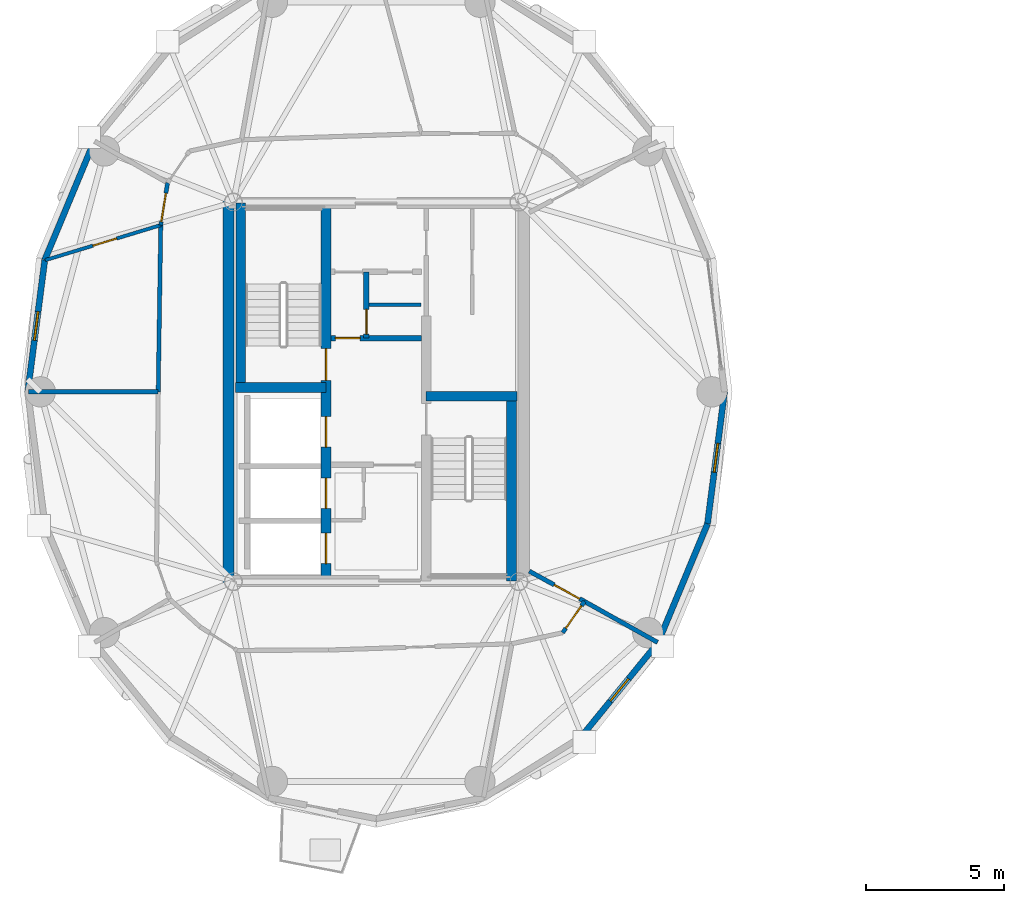
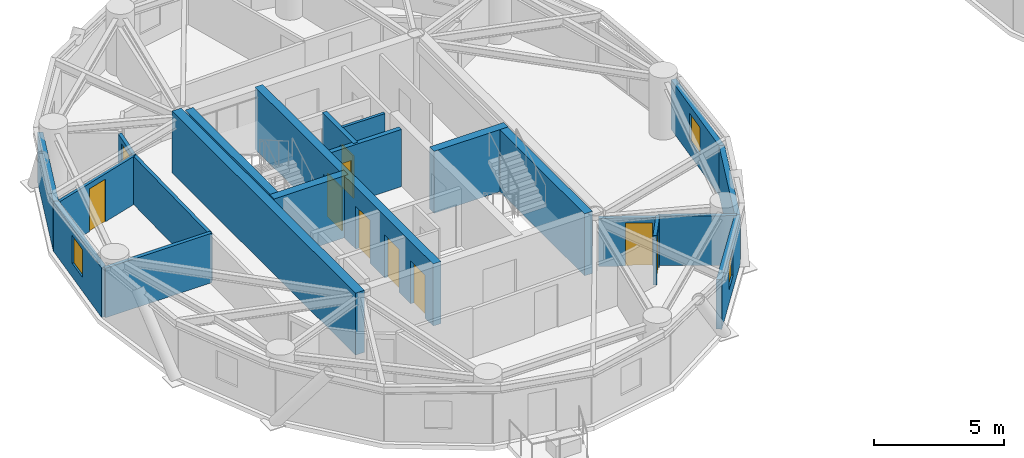
# One storey, part 8 of 16: 21 walls, 10 doors, 3 windows, 13 openings.
"""IFC4 building model written with IfcOpenShell, lengths in metres."""

from ifc_helpers import new_model, si_unit, direction, frame, frame_2d, origin, place, context, subcontext, project, spatial, rectangle, extrude, source, transform, mapped, material, layer, layer_set, type_object, element, fill, save


model = new_model("IFC4")

# Units and contexts
model_context = context("Model", 3, precision=1e-05, world=origin(), true_north=direction((0.0, 1.0)))
body_context = subcontext(model_context, "Body", "Model", "MODEL_VIEW")
ifc_project = project(units=[si_unit("LENGTHUNIT", "METRE"), si_unit("AREAUNIT", "SQUARE_METRE"), si_unit("VOLUMEUNIT", "CUBIC_METRE"), si_unit("PLANEANGLEUNIT", "RADIAN"), si_unit("MASSUNIT", "GRAM", prefix="KILO")], contexts=[model_context])

# Site, building, storey
site_placement = place(None, origin())
site = spatial("IfcSite", under=ifc_project, at=site_placement, CompositionType="ELEMENT")
building_placement = place(site_placement, origin())
building = spatial("IfcBuilding", under=site, at=building_placement, Name="Cununo Teusaquillo Station Towers", CompositionType="ELEMENT")
storey_placement = place(building_placement, frame((0.0, 0.0, 208.300048828125)))
storey = spatial("IfcBuildingStorey", under=building, at=storey_placement, Name="L66", CompositionType="ELEMENT", Elevation=208.300048828125)

# Wall, openings, doors
ifc_material_1 = material(Name="Concrete C50/60", Category="concrete")
ifc_layer_1 = layer(ifc_material_1, 0.35009765625)
ifc_layer_set_1 = layer_set([ifc_layer_1], Name="Concrete C50/60")
wall_type_1 = type_object("IfcWallType", Name="WL-CORE-350", PredefinedType="SHEAR", material=ifc_layer_set_1)
wall_1_placement = place(storey_placement, frame((14.68505859375, 17.64990234375, 0.0), z_axis=(0.0, 0.0, 1.0), x_axis=(0.0, 1.0, 0.0)))
wall_1 = element("IfcWall", 1, at=wall_1_placement, inside=storey, type_object=wall_type_1, Name="L66 Tower A Core Shear Wall IW", PredefinedType="SHEAR", context=body_context, shape_type="SweptSolid", body=[
    extrude(rectangle(XDim=13.7001953125, YDim=0.35009765625, at=frame_2d((6.85009765625, 0.0))), origin(), (0.0, 0.0, 1.0), 2.909912109375),
])
shared_shape_1 = source(origin(), body_context, "Body", "SweptSolid", [
    extrude(rectangle(XDim=1.10009765625, YDim=2.014892578125, at=frame_2d((0.550048828125, 1.00732421875))), frame((0.0, 0.18505859375, 0.0), z_axis=(0.0, -1.0, 0.0), x_axis=(1.0, 0.0, 0.0)), (0.0, 0.0, 1.0), 0.3701171875),
])
opening_1_placement = place(wall_1_placement, frame((4.85009765625, 0.0, 0.0)))
opening_1 = element("IfcOpeningElement", 2, at=opening_1_placement, cuts=wall_1, Name="Opening LD-01", PredefinedType="OPENING", context=body_context, shape_type="MappedRepresentation", body=[
    mapped(shared_shape_1, transform((0.0, 0.0, 0.0), x_axis=(1.0, 0.0, 0.0), y_axis=(0.0, 1.0, 0.0), z_axis=(0.0, 0.0, 1.0), scale=1.0)),
])
opening_2_placement = place(wall_1_placement, frame((0.625, 0.0, 0.0)))
opening_2 = element("IfcOpeningElement", 3, at=opening_2_placement, cuts=wall_1, Name="Opening LD-01", PredefinedType="OPENING", context=body_context, shape_type="MappedRepresentation", body=[
    mapped(shared_shape_1, transform((0.0, 0.0, 0.0), x_axis=(1.0, 0.0, 0.0), y_axis=(0.0, 1.0, 0.0), z_axis=(0.0, 0.0, 1.0), scale=1.0)),
])
opening_3_placement = place(wall_1_placement, frame((2.625, 0.0, 0.0)))
opening_3 = element("IfcOpeningElement", 4, at=opening_3_placement, cuts=wall_1, Name="Opening LD-01", PredefinedType="OPENING", context=body_context, shape_type="MappedRepresentation", body=[
    mapped(shared_shape_1, transform((0.0, 0.0, 0.0), x_axis=(1.0, 0.0, 0.0), y_axis=(0.0, 1.0, 0.0), z_axis=(0.0, 0.0, 1.0), scale=1.0)),
])
shared_shape_2 = source(origin(), body_context, "Body", "SweptSolid", [
    extrude(rectangle(XDim=1.14990234375, YDim=2.02001953125, at=frame_2d((0.574951171875, 1.010009765625))), frame((0.0, 0.18505859375, 0.0), z_axis=(0.0, -1.0, 0.0), x_axis=(1.0, 0.0, 0.0)), (0.0, 0.0, 1.0), 0.3701171875),
])
opening_4_placement = place(wall_1_placement, frame((7.27001953125, 0.0, 0.0)))
opening_4 = element("IfcOpeningElement", 5, at=opening_4_placement, cuts=wall_1, Name="Opening D-ST1", PredefinedType="OPENING", context=body_context, shape_type="MappedRepresentation", body=[
    mapped(shared_shape_2, transform((0.0, 0.0, 0.0), x_axis=(1.0, 0.0, 0.0), y_axis=(0.0, 1.0, 0.0), z_axis=(0.0, 0.0, 1.0), scale=1.0)),
])
ifc_material_2 = material(Name="Galvanised fire-rated hollow steel door assembly", Category="steel")
door_type_1 = type_object("IfcDoorType", Name="DR-LIFT-1100", OperationType="SLIDING_TO_LEFT", PredefinedType="DOOR", material=ifc_material_2)
shared_shape_3 = source(origin(), body_context, "Body", "SweptSolid", [
    extrude(rectangle(XDim=1.10009765625, YDim=2.014892578125, at=frame_2d((0.550048828125, 1.00732421875))), frame((0.0, 0.02490234375, 0.0), z_axis=(0.0, -1.0, 0.0), x_axis=(1.0, 0.0, 0.0)), (0.0, 0.0, 1.0), 0.050048828125),
])
door_1_placement = place(opening_1_placement, origin())
door_1 = element("IfcDoor", 6, at=door_1_placement, inside=storey, type_object=door_type_1, Name="L66 Lift FL-T1 Sliding Landing Door", OperationType="SLIDING_TO_LEFT", OverallHeight=2.014892578125, OverallWidth=1.10009765625, PredefinedType="DOOR", context=body_context, shape_type="MappedRepresentation", body=[
    mapped(shared_shape_3, transform((0.0, 0.0, 0.0), x_axis=(1.0, 0.0, 0.0), y_axis=(0.0, 1.0, 0.0), z_axis=(0.0, 0.0, 1.0), scale=1.0)),
])
fill(opening_1, door_1)
door_2_placement = place(opening_2_placement, origin())
door_2 = element("IfcDoor", 7, at=door_2_placement, inside=storey, type_object=door_type_1, Name="L66 Lift PL-T1-H1 Sliding Landing Door", OperationType="SLIDING_TO_LEFT", OverallHeight=2.014892578125, OverallWidth=1.10009765625, PredefinedType="DOOR", context=body_context, shape_type="MappedRepresentation", body=[
    mapped(shared_shape_3, transform((0.0, 0.0, 0.0), x_axis=(1.0, 0.0, 0.0), y_axis=(0.0, 1.0, 0.0), z_axis=(0.0, 0.0, 1.0), scale=1.0)),
])
fill(opening_2, door_2)
door_3_placement = place(opening_3_placement, origin())
door_3 = element("IfcDoor", 8, at=door_3_placement, inside=storey, type_object=door_type_1, Name="L66 Lift PL-T1-H2 Sliding Landing Door", OperationType="SLIDING_TO_RIGHT", OverallHeight=2.014892578125, OverallWidth=1.10009765625, PredefinedType="DOOR", context=body_context, shape_type="MappedRepresentation", body=[
    mapped(shared_shape_3, transform((0.0, 0.0, 0.0), x_axis=(1.0, 0.0, 0.0), y_axis=(0.0, 1.0, 0.0), z_axis=(0.0, 0.0, 1.0), scale=1.0)),
])
fill(opening_3, door_3)
ifc_material_3 = material(Name="Galvanised fire-rated hollow steel door assembly", Category="steel")
door_type_2 = type_object("IfcDoorType", Name="DR-STAIR-1150", OperationType="NOTDEFINED", PredefinedType="DOOR", material=ifc_material_3)
shared_shape_4 = source(origin(), body_context, "Body", "SweptSolid", [
    extrude(rectangle(XDim=1.14990234375, YDim=2.02001953125, at=frame_2d((0.574951171875, 1.010009765625))), frame((0.0, 0.02490234375, 0.0), z_axis=(0.0, -1.0, 0.0), x_axis=(1.0, 0.0, 0.0)), (0.0, 0.0, 1.0), 0.050048828125),
])
door_4_placement = place(opening_4_placement, origin())
door_4 = element("IfcDoor", 9, at=door_4_placement, inside=storey, type_object=door_type_2, Name="L66 Tower A Exit Stair 1 Fire Door", OperationType="SINGLE_SWING_RIGHT", OverallHeight=2.02001953125, OverallWidth=1.14990234375, PredefinedType="DOOR", context=body_context, shape_type="MappedRepresentation", body=[
    mapped(shared_shape_4, transform((0.0, 0.0, 0.0), x_axis=(1.0, 0.0, 0.0), y_axis=(0.0, 1.0, 0.0), z_axis=(0.0, 0.0, 1.0), scale=1.0)),
])
fill(opening_4, door_4)

# Walls
wall_2_placement = place(storey_placement, frame((11.594970703125, 24.655029296875, 0.0), z_axis=(0.0, 0.0, 1.0), x_axis=(0.0, 1.0, 0.0)))
element("IfcWall", 10, at=wall_2_placement, inside=storey, type_object=wall_type_1, Name="L66 Tower A Core Shear Wall ST1W", PredefinedType="SHEAR", context=body_context, shape_type="SweptSolid", body=[
    extrude(rectangle(XDim=6.695068359375, YDim=0.35009765625, at=frame_2d((3.34765625, 0.0))), origin(), (0.0, 0.0, 1.0), 2.909912109375),
])
wall_3_placement = place(storey_placement, frame((11.39990234375, 24.655029296875, 0.0), z_axis=(0.0, 0.0, 1.0), x_axis=(1.0, 0.0, 0.0)))
element("IfcWall", 11, at=wall_3_placement, inside=storey, type_object=wall_type_1, Name="L66 Tower A Core Shear Wall ST1S", PredefinedType="SHEAR", context=body_context, shape_type="SweptSolid", body=[
    extrude(rectangle(XDim=3.28515625, YDim=0.35009765625, at=frame_2d((1.642578125, 0.0))), origin(), (0.0, 0.0, 1.0), 2.909912109375),
])
wall_4_placement = place(storey_placement, frame((21.405029296875, 17.64990234375, 0.0), z_axis=(0.0, 0.0, 1.0), x_axis=(0.0, 1.0, 0.0)))
element("IfcWall", 12, at=wall_4_placement, inside=storey, type_object=wall_type_1, Name="L66 Tower A Core Shear Wall ST2E", PredefinedType="SHEAR", context=body_context, shape_type="SweptSolid", body=[
    extrude(rectangle(XDim=6.695068359375, YDim=0.35009765625, at=frame_2d((3.34765625, 0.0))), origin(), (0.0, 0.0, 1.0), 2.909912109375),
])
wall_5_placement = place(storey_placement, frame((18.31494140625, 24.344970703125, 0.0), z_axis=(0.0, 0.0, 1.0), x_axis=(1.0, 0.0, 0.0)))
element("IfcWall", 13, at=wall_5_placement, inside=storey, type_object=wall_type_1, Name="L66 Tower A Core Shear Wall ST2N", PredefinedType="SHEAR", context=body_context, shape_type="SweptSolid", body=[
    extrude(rectangle(XDim=3.28515625, YDim=0.35009765625, at=frame_2d((1.642578125, 0.0))), origin(), (0.0, 0.0, 1.0), 2.909912109375),
])
ifc_material_4 = material(Name="Concrete C50/60", Category="concrete")
ifc_layer_2 = layer(ifc_material_4, 0.39990234375)
ifc_layer_set_2 = layer_set([ifc_layer_2], Name="Concrete C50/60")
wall_type_2 = type_object("IfcWallType", Name="WL-CORE-400", PredefinedType="SHEAR", material=ifc_layer_set_2)
wall_6_placement = place(storey_placement, frame((11.14990234375, 17.449951171875, 0.0), z_axis=(0.0, 0.0, 1.0), x_axis=(0.0, 1.0, 0.0)))
element("IfcWall", 14, at=wall_6_placement, inside=storey, type_object=wall_type_2, Name="L66 Tower A Core Shear Wall W", PredefinedType="SHEAR", context=body_context, shape_type="SweptSolid", body=[
    extrude(rectangle(XDim=14.10009765625, YDim=0.39990234375, at=frame_2d((7.050048828125, 0.0))), origin(), (0.0, 0.0, 1.0), 2.909912109375),
])
ifc_material_5 = material(Name="Precast concrete C40/50", Category="concrete")
ifc_layer_3 = layer(ifc_material_5, 0.219970703125)
ifc_layer_set_3 = layer_set([ifc_layer_3], Name="Precast concrete C40/50")
wall_type_3 = type_object("IfcWallType", Name="WL-EXT-220", PredefinedType="SOLIDWALL", material=ifc_layer_set_3)
wall_7_placement = place(storey_placement, frame((4.48828125, 29.280517578125, 0.0), z_axis=(0.0, 0.0, 1.0), x_axis=(0.384036305194, 0.923317993052, 0.0)))
element("IfcWall", 15, at=wall_7_placement, inside=storey, type_object=wall_type_3, Name="L66 Tower A Exterior Facade Wall C08", PredefinedType="SOLIDWALL", context=body_context, shape_type="SweptSolid", body=[
    extrude(rectangle(XDim=4.670654296875, YDim=0.219970703125, at=frame_2d((2.33544921875, 0.0))), origin(), (0.0, 0.0, 1.0), 2.322021484375),
])

# Wall, opening, window
wall_8_placement = place(storey_placement, frame((3.8701171875, 24.5, 0.0), z_axis=(0.0, 0.0, 1.0), x_axis=(0.128241318541, 0.991742993027, 0.0)))
wall_8 = element("IfcWall", 16, at=wall_8_placement, inside=storey, type_object=wall_type_3, Name="L66 Tower A Exterior Facade Wall C09", PredefinedType="SOLIDWALL", context=body_context, shape_type="SweptSolid", body=[
    extrude(rectangle(XDim=4.8203125, YDim=0.219970703125, at=frame_2d((2.41015625, 0.0))), origin(), (0.0, 0.0, 1.0), 2.322021484375),
])
shared_shape_5 = source(origin(), body_context, "Body", "SweptSolid", [
    extrude(rectangle(XDim=1.050048828125, YDim=1.300048828125, at=frame_2d((0.52490234375, 0.64990234375))), frame((0.0, 0.119873046875, 0.0), z_axis=(0.0, -1.0, 0.0), x_axis=(1.0, 0.0, 0.0)), (0.0, 0.0, 1.0), 0.239990234375),
])
opening_5_placement = place(wall_8_placement, frame((1.885009765625, 0.0, 0.64990234375)))
opening_5 = element("IfcOpeningElement", 17, at=opening_5_placement, cuts=wall_8, Name="Opening WN-04", PredefinedType="OPENING", context=body_context, shape_type="MappedRepresentation", body=[
    mapped(shared_shape_5, transform((0.0, 0.0, 0.0), x_axis=(1.0, 0.0, 0.0), y_axis=(0.0, 1.0, 0.0), z_axis=(0.0, 0.0, 1.0), scale=1.0)),
])
ifc_material_6 = material(Name="Operable acoustic tinted low-E double glazing", Category="glass")
window_type = type_object("IfcWindowType", Name="WIN-BAL-1050", PartitioningType="SINGLE_PANEL", PredefinedType="WINDOW", material=ifc_material_6)
shared_shape_6 = source(origin(), body_context, "Body", "SweptSolid", [
    extrude(rectangle(XDim=1.050048828125, YDim=1.300048828125, at=frame_2d((0.52490234375, 0.64990234375))), frame((0.0, 0.030029296875, 0.0), z_axis=(0.0, -1.0, 0.0), x_axis=(1.0, 0.0, 0.0)), (0.0, 0.0, 1.0), 0.06005859375),
])
window_1_placement = place(opening_5_placement, origin())
window_1 = element("IfcWindow", 18, at=window_1_placement, inside=storey, type_object=window_type, Name="L66 Tower A Facade Window C09", OverallHeight=1.300048828125, OverallWidth=1.050048828125, PartitioningType="SINGLE_PANEL", PredefinedType="WINDOW", context=body_context, shape_type="MappedRepresentation", body=[
    mapped(shared_shape_6, transform((0.0, 0.0, 0.0), x_axis=(1.0, 0.0, 0.0), y_axis=(0.0, 1.0, 0.0), z_axis=(0.0, 0.0, 1.0), scale=1.0)),
])
fill(opening_5, window_1)

wall_9_placement = place(storey_placement, frame((26.718017578125, 15.406982421875, 0.0), z_axis=(0.0, 0.0, 1.0), x_axis=(-0.632467166636, -0.774587169483, 0.0)))
wall_9 = element("IfcWall", 19, at=wall_9_placement, inside=storey, type_object=wall_type_3, Name="L66 Tower A Exterior Facade Wall C17", PredefinedType="SOLIDWALL", context=body_context, shape_type="SweptSolid", body=[
    extrude(rectangle(XDim=4.418212890625, YDim=0.219970703125, at=frame_2d((2.208984375, 0.0))), origin(), (0.0, 0.0, 1.0), 2.322021484375),
])
opening_6_placement = place(wall_9_placement, frame((1.68408203125, 0.0, 0.64990234375)))
opening_6 = element("IfcOpeningElement", 20, at=opening_6_placement, cuts=wall_9, Name="Opening WN-04", PredefinedType="OPENING", context=body_context, shape_type="MappedRepresentation", body=[
    mapped(shared_shape_5, transform((0.0, 0.0, 0.0), x_axis=(1.0, 0.0, 0.0), y_axis=(0.0, 1.0, 0.0), z_axis=(0.0, 0.0, 1.0), scale=1.0)),
])
window_2_placement = place(opening_6_placement, origin())
window_2 = element("IfcWindow", 21, at=window_2_placement, inside=storey, type_object=window_type, Name="L66 Tower A Facade Window C17", OverallHeight=1.300048828125, OverallWidth=1.050048828125, PartitioningType="SINGLE_PANEL", PredefinedType="WINDOW", context=body_context, shape_type="MappedRepresentation", body=[
    mapped(shared_shape_6, transform((0.0, 0.0, 0.0), x_axis=(1.0, 0.0, 0.0), y_axis=(0.0, 1.0, 0.0), z_axis=(0.0, 0.0, 1.0), scale=1.0)),
])
fill(opening_6, window_2)

# Wall
wall_10_placement = place(storey_placement, frame((28.51171875, 19.719482421875, 0.0), z_axis=(0.0, 0.0, 1.0), x_axis=(-0.384036305194, -0.923317993052, 0.0)))
element("IfcWall", 22, at=wall_10_placement, inside=storey, type_object=wall_type_3, Name="L66 Tower A Exterior Facade Wall C18", PredefinedType="SOLIDWALL", context=body_context, shape_type="SweptSolid", body=[
    extrude(rectangle(XDim=4.670654296875, YDim=0.219970703125, at=frame_2d((2.33544921875, 0.0))), origin(), (0.0, 0.0, 1.0), 2.322021484375),
])

# Wall, opening, window
wall_11_placement = place(storey_placement, frame((29.1298828125, 24.5, 0.0), z_axis=(0.0, 0.0, 1.0), x_axis=(-0.128241318541, -0.991742993027, 0.0)))
wall_11 = element("IfcWall", 23, at=wall_11_placement, inside=storey, type_object=wall_type_3, Name="L66 Tower A Exterior Facade Wall C19", PredefinedType="SOLIDWALL", context=body_context, shape_type="SweptSolid", body=[
    extrude(rectangle(XDim=4.8203125, YDim=0.219970703125, at=frame_2d((2.41015625, 0.0))), origin(), (0.0, 0.0, 1.0), 2.322021484375),
])
opening_7_placement = place(wall_11_placement, frame((1.885009765625, 0.0, 0.64990234375)))
opening_7 = element("IfcOpeningElement", 24, at=opening_7_placement, cuts=wall_11, Name="Opening WN-04", PredefinedType="OPENING", context=body_context, shape_type="MappedRepresentation", body=[
    mapped(shared_shape_5, transform((0.0, 0.0, 0.0), x_axis=(1.0, 0.0, 0.0), y_axis=(0.0, 1.0, 0.0), z_axis=(0.0, 0.0, 1.0), scale=1.0)),
])
window_3_placement = place(opening_7_placement, origin())
window_3 = element("IfcWindow", 25, at=window_3_placement, inside=storey, type_object=window_type, Name="L66 Tower A Facade Window C19", OverallHeight=1.300048828125, OverallWidth=1.050048828125, PartitioningType="SINGLE_PANEL", PredefinedType="WINDOW", context=body_context, shape_type="MappedRepresentation", body=[
    mapped(shared_shape_6, transform((0.0, 0.0, 0.0), x_axis=(1.0, 0.0, 0.0), y_axis=(0.0, 1.0, 0.0), z_axis=(0.0, 0.0, 1.0), scale=1.0)),
])
fill(opening_7, window_3)

# Wall
ifc_material_7 = material(Name="Fire-rated gypsum plasterboard partition assembly", Category="gypsum")
ifc_layer_4 = layer(ifc_material_7, 0.125)
ifc_layer_set_4 = layer_set([ifc_layer_4], Name="Fire-rated gypsum plasterboard partition assembly")
wall_type_4 = type_object("IfcWallType", Name="WL-PART-125", PredefinedType="PARTITIONING", material=ifc_layer_set_4)
wall_12_placement = place(storey_placement, frame((16.239990234375, 27.64990234375, 0.0), z_axis=(0.0, 0.0, 1.0), x_axis=(1.0, 0.0, 0.0)))
element("IfcWall", 26, at=wall_12_placement, inside=storey, type_object=wall_type_4, Name="L66 Tower A Core Horizontal Split Wall", PredefinedType="PARTITIONING", context=body_context, shape_type="SweptSolid", body=[
    extrude(rectangle(XDim=1.880126953125, YDim=0.125, at=frame_2d((0.93994140625, 0.0))), origin(), (0.0, 0.0, 1.0), 2.68505859375),
])

# Wall, opening, door
wall_13_placement = place(storey_placement, frame((8.692626953125, 30.544189453125, 0.0), z_axis=(0.0, 0.0, 1.0), x_axis=(-0.956933754187, -0.290306372814, 0.0)))
wall_13 = element("IfcWall", 27, at=wall_13_placement, inside=storey, type_object=wall_type_4, Name="L66 Tower A Visiting Envoy Briefing Room Suite Subdividing Wall", PredefinedType="PARTITIONING", context=body_context, shape_type="SweptSolid", body=[
    extrude(rectangle(XDim=4.3740234375, YDim=0.125, at=frame_2d((2.18701171875, 0.0))), origin(), (0.0, 0.0, 1.0), 2.2548828125),
])
shared_shape_7 = source(origin(), body_context, "Body", "SweptSolid", [
    extrude(rectangle(XDim=0.89990234375, YDim=2.0048828125, at=frame_2d((0.449951171875, 1.00244140625))), frame((0.0, 0.072509765625, 0.0), z_axis=(0.0, -1.0, 0.0), x_axis=(1.0, 0.0, 0.0)), (0.0, 0.0, 1.0), 0.14501953125),
])
opening_8_placement = place(wall_13_placement, frame((1.673828125, 0.0, 0.0)))
opening_8 = element("IfcOpeningElement", 28, at=opening_8_placement, cuts=wall_13, Name="Opening D-IN1", PredefinedType="OPENING", context=body_context, shape_type="MappedRepresentation", body=[
    mapped(shared_shape_7, transform((0.0, 0.0, 0.0), x_axis=(1.0, 0.0, 0.0), y_axis=(0.0, 1.0, 0.0), z_axis=(0.0, 0.0, 1.0), scale=1.0)),
])
ifc_material_8 = material(Name="Acoustic solid-core hardwood leaf assembly", Category="wood")
door_type_3 = type_object("IfcDoorType", Name="DR-INT-900", OperationType="NOTDEFINED", PredefinedType="DOOR", material=ifc_material_8)
shared_shape_8 = source(origin(), body_context, "Body", "SweptSolid", [
    extrude(rectangle(XDim=0.89990234375, YDim=2.0048828125, at=frame_2d((0.449951171875, 1.00244140625))), frame((0.0, 0.02490234375, 0.0), z_axis=(0.0, -1.0, 0.0), x_axis=(1.0, 0.0, 0.0)), (0.0, 0.0, 1.0), 0.050048828125),
])
door_5_placement = place(opening_8_placement, origin())
door_5 = element("IfcDoor", 29, at=door_5_placement, inside=storey, type_object=door_type_3, Name="L66 Tower A Visiting Envoy Briefing Room Suite Connecting Door", OperationType="SINGLE_SWING_RIGHT", OverallHeight=2.0048828125, OverallWidth=0.89990234375, PredefinedType="DOOR", context=body_context, shape_type="MappedRepresentation", body=[
    mapped(shared_shape_8, transform((0.0, 0.0, 0.0), x_axis=(1.0, 0.0, 0.0), y_axis=(0.0, 1.0, 0.0), z_axis=(0.0, 0.0, 1.0), scale=1.0)),
])
fill(opening_8, door_5)

ifc_material_9 = material(Name="Fire-rated gypsum plasterboard partition assembly", Category="gypsum")
ifc_layer_5 = layer(ifc_material_9, 0.14990234375)
ifc_layer_set_5 = layer_set([ifc_layer_5], Name="Fire-rated gypsum plasterboard partition assembly")
wall_type_5 = type_object("IfcWallType", Name="WL-PART-150", PredefinedType="PARTITIONING", material=ifc_layer_set_5)
wall_14_placement = place(storey_placement, frame((8.93994140625, 32.078369140625, 0.0), z_axis=(0.0, 0.0, 1.0), x_axis=(-0.159148467753, -0.98725466077, 0.0)))
wall_14 = element("IfcWall", 30, at=wall_14_placement, inside=storey, type_object=wall_type_5, Name="L66 Tower A Corridor Ring Wall C08", PredefinedType="PARTITIONING", context=body_context, shape_type="SweptSolid", body=[
    extrude(rectangle(XDim=1.553955078125, YDim=0.14990234375, at=frame_2d((0.77685546875, 0.0))), origin(), (0.0, 0.0, 1.0), 2.2548828125),
])
shared_shape_9 = source(origin(), body_context, "Body", "SweptSolid", [
    extrude(rectangle(XDim=1.050048828125, YDim=2.014892578125, at=frame_2d((0.52490234375, 1.00732421875))), frame((0.0, 0.0849609375, 0.0), z_axis=(0.0, -1.0, 0.0), x_axis=(1.0, 0.0, 0.0)), (0.0, 0.0, 1.0), 0.169921875),
])
opening_9_placement = place(wall_14_placement, frame((0.384033203125, 0.0, 0.0)))
opening_9 = element("IfcOpeningElement", 31, at=opening_9_placement, cuts=wall_14, Name="Opening D-SU1", PredefinedType="OPENING", context=body_context, shape_type="MappedRepresentation", body=[
    mapped(shared_shape_9, transform((0.0, 0.0, 0.0), x_axis=(1.0, 0.0, 0.0), y_axis=(0.0, 1.0, 0.0), z_axis=(0.0, 0.0, 1.0), scale=1.0)),
])
ifc_material_10 = material(Name="Acoustic solid-core hardwood leaf assembly", Category="wood")
door_type_4 = type_object("IfcDoorType", Name="DR-SUITE-1050", OperationType="NOTDEFINED", PredefinedType="DOOR", material=ifc_material_10)
shared_shape_10 = source(origin(), body_context, "Body", "SweptSolid", [
    extrude(rectangle(XDim=1.050048828125, YDim=2.014892578125, at=frame_2d((0.52490234375, 1.00732421875))), frame((0.0, 0.02490234375, 0.0), z_axis=(0.0, -1.0, 0.0), x_axis=(1.0, 0.0, 0.0)), (0.0, 0.0, 1.0), 0.050048828125),
])
door_6_placement = place(opening_9_placement, origin())
door_6 = element("IfcDoor", 32, at=door_6_placement, inside=storey, type_object=door_type_4, Name="L66 Tower A Visiting Envoy Briefing Room Entrance Door", OperationType="SINGLE_SWING_LEFT", OverallHeight=2.014892578125, OverallWidth=1.050048828125, PredefinedType="DOOR", context=body_context, shape_type="MappedRepresentation", body=[
    mapped(shared_shape_10, transform((0.0, 0.0, 0.0), x_axis=(1.0, 0.0, 0.0), y_axis=(0.0, 1.0, 0.0), z_axis=(0.0, 0.0, 1.0), scale=1.0)),
])
fill(opening_9, door_6)

# Wall
wall_15_placement = place(storey_placement, frame((8.692626953125, 30.544189453125, 0.0), z_axis=(0.0, 0.0, 1.0), x_axis=(-0.015307007986, -0.99988284089, 0.0)))
element("IfcWall", 33, at=wall_15_placement, inside=storey, type_object=wall_type_5, Name="L66 Tower A Corridor Ring Wall C09", PredefinedType="PARTITIONING", context=body_context, shape_type="SweptSolid", body=[
    extrude(rectangle(XDim=6.044921875, YDim=0.14990234375, at=frame_2d((3.0224609375, 0.0))), origin(), (0.0, 0.0, 1.0), 2.2548828125),
])

# Wall, opening, door
wall_16_placement = place(storey_placement, frame((23.263427734375, 15.77001953125, 0.0), z_axis=(0.0, 0.0, 1.0), x_axis=(0.570743456919, 0.821128434768, 0.0)))
wall_16 = element("IfcWall", 34, at=wall_16_placement, inside=storey, type_object=wall_type_5, Name="L66 Tower A Corridor Ring Wall C17", PredefinedType="PARTITIONING", context=body_context, shape_type="SweptSolid", body=[
    extrude(rectangle(XDim=1.381591796875, YDim=0.14990234375, at=frame_2d((0.69091796875, 0.0))), origin(), (0.0, 0.0, 1.0), 2.322021484375),
])
shared_shape_11 = source(origin(), body_context, "Body", "SweptSolid", [
    extrude(rectangle(XDim=1.0, YDim=2.014892578125, at=frame_2d((0.5, 1.00732421875))), frame((0.0, 0.0849609375, 0.0), z_axis=(0.0, -1.0, 0.0), x_axis=(1.0, 0.0, 0.0)), (0.0, 0.0, 1.0), 0.169921875),
])
opening_10_placement = place(wall_16_placement, frame((0.19091796875, 0.0, 0.0)))
opening_10 = element("IfcOpeningElement", 35, at=opening_10_placement, cuts=wall_16, Name="Opening D-AC1", PredefinedType="OPENING", context=body_context, shape_type="MappedRepresentation", body=[
    mapped(shared_shape_11, transform((0.0, 0.0, 0.0), x_axis=(1.0, 0.0, 0.0), y_axis=(0.0, 1.0, 0.0), z_axis=(0.0, 0.0, 1.0), scale=1.0)),
])
ifc_material_11 = material(Name="Acoustic solid-core hardwood leaf assembly", Category="wood")
door_type_5 = type_object("IfcDoorType", Name="DR-ACC-1000", OperationType="NOTDEFINED", PredefinedType="DOOR", material=ifc_material_11)
shared_shape_12 = source(origin(), body_context, "Body", "SweptSolid", [
    extrude(rectangle(XDim=1.0, YDim=2.014892578125, at=frame_2d((0.5, 1.00732421875))), frame((0.0, 0.02490234375, 0.0), z_axis=(0.0, -1.0, 0.0), x_axis=(1.0, 0.0, 0.0)), (0.0, 0.0, 1.0), 0.050048828125),
])
door_7_placement = place(opening_10_placement, origin())
door_7 = element("IfcDoor", 36, at=door_7_placement, inside=storey, type_object=door_type_5, Name="L66 Tower A Public Accessible Restroom WC Entrance Door", OperationType="SINGLE_SWING_RIGHT", OverallHeight=2.014892578125, OverallWidth=1.0, PredefinedType="DOOR", context=body_context, shape_type="MappedRepresentation", body=[
    mapped(shared_shape_12, transform((0.0, 0.0, 0.0), x_axis=(1.0, 0.0, 0.0), y_axis=(0.0, 1.0, 0.0), z_axis=(0.0, 0.0, 1.0), scale=1.0)),
])
fill(opening_10, door_7)

# Walls
ifc_material_12 = material(Name="Fire-rated gypsum plasterboard partition assembly", Category="gypsum")
ifc_layer_6 = layer(ifc_material_12, 0.159912109375)
ifc_layer_set_6 = layer_set([ifc_layer_6], Name="Fire-rated gypsum plasterboard partition assembly")
wall_type_6 = type_object("IfcWallType", Name="WL-PART-160", PredefinedType="PARTITIONING", material=ifc_layer_set_6)
wall_17_placement = place(storey_placement, frame((8.60009765625, 24.5, 0.0), z_axis=(0.0, 0.0, 1.0), x_axis=(-1.0, 0.0, 0.0)))
element("IfcWall", 37, at=wall_17_placement, inside=storey, type_object=wall_type_6, Name="L66 Tower A Radial Suite Partition R05", PredefinedType="PARTITIONING", context=body_context, shape_type="SweptSolid", body=[
    extrude(rectangle(XDim=4.710205078125, YDim=0.159912109375, at=frame_2d((2.35498046875, 0.0))), origin(), (0.0, 0.0, 1.0), 2.322021484375),
])
wall_18_placement = place(storey_placement, frame((24.052001953125, 16.904541015625, 0.0), z_axis=(0.0, 0.0, 1.0), x_axis=(0.872220814965, -0.489112308106, 0.0)))
element("IfcWall", 38, at=wall_18_placement, inside=storey, type_object=wall_type_6, Name="L66 Tower A Radial Suite Partition R09", PredefinedType="PARTITIONING", context=body_context, shape_type="SweptSolid", body=[
    extrude(rectangle(XDim=3.037841796875, YDim=0.159912109375, at=frame_2d((1.51904296875, 0.0))), origin(), (0.0, 0.0, 1.0), 2.322021484375),
])

# Wall, opening, door
wall_19_placement = place(storey_placement, frame((22.050048828125, 18.0, 0.0), z_axis=(0.0, 0.0, 1.0), x_axis=(0.877252891813, -0.480028503118, 0.0)))
wall_19 = element("IfcWall", 39, at=wall_19_placement, inside=storey, type_object=wall_type_6, Name="L66 Tower A East Salon Corridor Portal Wall SE", PredefinedType="PARTITIONING", context=body_context, shape_type="SweptSolid", body=[
    extrude(rectangle(XDim=2.281982421875, YDim=0.159912109375, at=frame_2d((1.14111328125, 0.0))), origin(), (0.0, 0.0, 1.0), 2.2548828125),
])
shared_shape_13 = source(origin(), body_context, "Body", "SweptSolid", [
    extrude(rectangle(XDim=1.050048828125, YDim=2.014892578125, at=frame_2d((0.52490234375, 1.00732421875))), frame((0.0, 0.08984375, 0.0), z_axis=(0.0, -1.0, 0.0), x_axis=(1.0, 0.0, 0.0)), (0.0, 0.0, 1.0), 0.179931640625),
])
opening_11_placement = place(wall_19_placement, frame((1.031982421875, 0.0, 0.0)))
opening_11 = element("IfcOpeningElement", 40, at=opening_11_placement, cuts=wall_19, Name="Opening D-SU1", PredefinedType="OPENING", context=body_context, shape_type="MappedRepresentation", body=[
    mapped(shared_shape_13, transform((0.0, 0.0, 0.0), x_axis=(1.0, 0.0, 0.0), y_axis=(0.0, 1.0, 0.0), z_axis=(0.0, 0.0, 1.0), scale=1.0)),
])
door_8_placement = place(opening_11_placement, origin())
door_8 = element("IfcDoor", 41, at=door_8_placement, inside=storey, type_object=door_type_4, Name="L66 Tower A East Panorama Sky Salon Door SE", OperationType="SINGLE_SWING_RIGHT", OverallHeight=2.014892578125, OverallWidth=1.050048828125, PredefinedType="DOOR", context=body_context, shape_type="MappedRepresentation", body=[
    mapped(shared_shape_10, transform((0.0, 0.0, 0.0), x_axis=(1.0, 0.0, 0.0), y_axis=(0.0, 1.0, 0.0), z_axis=(0.0, 0.0, 1.0), scale=1.0)),
])
fill(opening_11, door_8)

ifc_material_13 = material(Name="Fire-rated gypsum plasterboard partition assembly", Category="gypsum")
ifc_layer_7 = layer(ifc_material_13, 0.199951171875)
ifc_layer_set_7 = layer_set([ifc_layer_7], Name="Fire-rated gypsum plasterboard partition assembly")
wall_type_7 = type_object("IfcWallType", Name="WL-PART-200", PredefinedType="PARTITIONING", material=ifc_layer_set_7)
wall_20_placement = place(storey_placement, frame((14.860107421875, 26.449951171875, 0.0), z_axis=(0.0, 0.0, 1.0), x_axis=(1.0, 0.0, 0.0)))
wall_20 = element("IfcWall", 42, at=wall_20_placement, inside=storey, type_object=wall_type_7, Name="L66 Tower A Firefighting Lift Lobby North Fire Wall", PredefinedType="PARTITIONING", context=body_context, shape_type="SweptSolid", body=[
    extrude(rectangle(XDim=3.27978515625, YDim=0.199951171875, at=frame_2d((1.639892578125, 0.0))), origin(), (0.0, 0.0, 1.0), 2.68505859375),
])
shared_shape_14 = source(origin(), body_context, "Body", "SweptSolid", [
    extrude(rectangle(XDim=0.89990234375, YDim=2.0048828125, at=frame_2d((0.449951171875, 1.00244140625))), frame((0.0, 0.10986328125, 0.0), z_axis=(0.0, -1.0, 0.0), x_axis=(1.0, 0.0, 0.0)), (0.0, 0.0, 1.0), 0.219970703125),
])
opening_12_placement = place(wall_20_placement, frame((0.159912109375, 0.0, 0.0)))
opening_12 = element("IfcOpeningElement", 43, at=opening_12_placement, cuts=wall_20, Name="Opening D-SR1", PredefinedType="OPENING", context=body_context, shape_type="MappedRepresentation", body=[
    mapped(shared_shape_14, transform((0.0, 0.0, 0.0), x_axis=(1.0, 0.0, 0.0), y_axis=(0.0, 1.0, 0.0), z_axis=(0.0, 0.0, 1.0), scale=1.0)),
])
ifc_material_14 = material(Name="Galvanised fire-rated hollow steel door assembly", Category="steel")
door_type_6 = type_object("IfcDoorType", Name="DR-STORE-900", OperationType="NOTDEFINED", PredefinedType="DOOR", material=ifc_material_14)
door_9_placement = place(opening_12_placement, origin())
door_9 = element("IfcDoor", 44, at=door_9_placement, inside=storey, type_object=door_type_6, Name="L66 Tower A Stair 1 Protected Vestibule South Door", OperationType="SINGLE_SWING_RIGHT", OverallHeight=2.0048828125, OverallWidth=0.89990234375, PredefinedType="DOOR", context=body_context, shape_type="MappedRepresentation", body=[
    mapped(shared_shape_8, transform((0.0, 0.0, 0.0), x_axis=(1.0, 0.0, 0.0), y_axis=(0.0, 1.0, 0.0), z_axis=(0.0, 0.0, 1.0), scale=1.0)),
])
fill(opening_12, door_9)

wall_21_placement = place(storey_placement, frame((16.14990234375, 26.449951171875, 0.0), z_axis=(0.0, 0.0, 1.0), x_axis=(0.0, 1.0, 0.0)))
wall_21 = element("IfcWall", 45, at=wall_21_placement, inside=storey, type_object=wall_type_7, Name="L66 Tower A Stair 1 Vestibule Partition Wall", PredefinedType="PARTITIONING", context=body_context, shape_type="SweptSolid", body=[
    extrude(rectangle(XDim=2.400146484375, YDim=0.199951171875, at=frame_2d((1.2001953125, 0.0))), origin(), (0.0, 0.0, 1.0), 2.68505859375),
])
opening_13_placement = place(wall_21_placement, frame((0.139892578125, 0.0, 0.0)))
opening_13 = element("IfcOpeningElement", 46, at=opening_13_placement, cuts=wall_21, Name="Opening D-SR1", PredefinedType="OPENING", context=body_context, shape_type="MappedRepresentation", body=[
    mapped(shared_shape_14, transform((0.0, 0.0, 0.0), x_axis=(1.0, 0.0, 0.0), y_axis=(0.0, 1.0, 0.0), z_axis=(0.0, 0.0, 1.0), scale=1.0)),
])
door_10_placement = place(opening_13_placement, origin())
door_10 = element("IfcDoor", 47, at=door_10_placement, inside=storey, type_object=door_type_6, Name="L66 Tower A Core Linen Store Door", OperationType="SINGLE_SWING_LEFT", OverallHeight=2.0048828125, OverallWidth=0.89990234375, PredefinedType="DOOR", context=body_context, shape_type="MappedRepresentation", body=[
    mapped(shared_shape_8, transform((0.0, 0.0, 0.0), x_axis=(1.0, 0.0, 0.0), y_axis=(0.0, 1.0, 0.0), z_axis=(0.0, 0.0, 1.0), scale=1.0)),
])
fill(opening_13, door_10)

save(model, "model.ifc")
